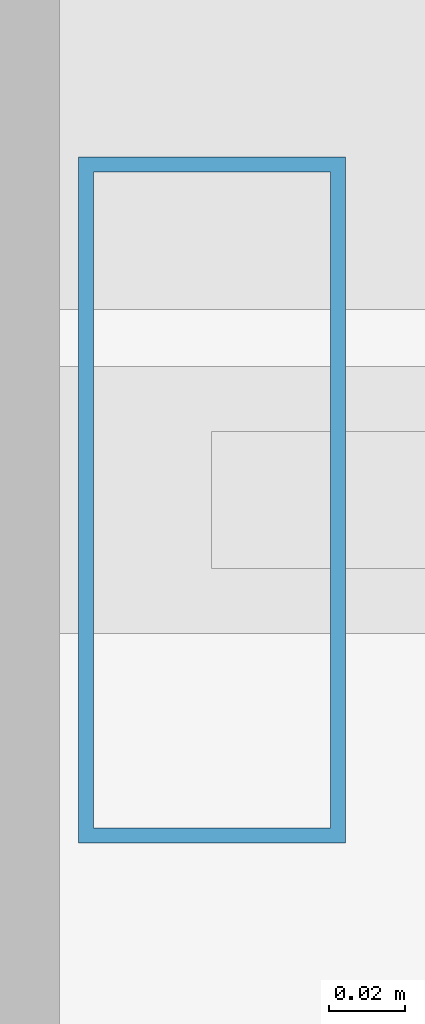
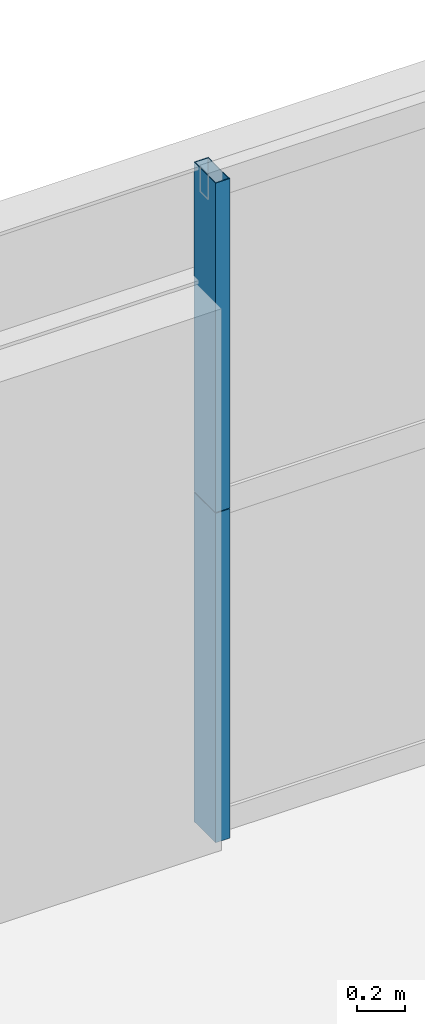
# One storey, part 26 of 43: 2 members, 1 element without a shape of its own.
"""IFC4 building model written with IfcOpenShell, lengths in metres."""

from ifc_helpers import new_model, si_unit, direction, frame, origin, origin_2d, place, context, subcontext, project, spatial, hollow_rectangle, extrude, source, transform, mapped, material, layer, layer_set, material_profile, profile_set, type_object, element, aggregate, save


model = new_model("IFC4")

# Units and contexts
model_context = context("Model", 3, precision=1e-05, world=origin(), true_north=direction((0.0, 1.0)))
body_context = subcontext(model_context, "Body", "Model", "MODEL_VIEW")
ifc_project = project(units=[si_unit("LENGTHUNIT", "METRE"), si_unit("AREAUNIT", "SQUARE_METRE"), si_unit("VOLUMEUNIT", "CUBIC_METRE"), si_unit("PLANEANGLEUNIT", "RADIAN"), si_unit("MASSUNIT", "GRAM", prefix="KILO"), si_unit("THERMODYNAMICTEMPERATUREUNIT", "KELVIN"), si_unit("POWERUNIT", "WATT")], contexts=[model_context])

# Site, building, storey
site_placement = place(None, origin())
site = spatial("IfcSite", under=ifc_project, at=site_placement, CompositionType="ELEMENT")
building_placement = place(site_placement, origin())
building = spatial("IfcBuilding", under=site, at=building_placement, Name="Yuzanri Waterfront Tower", CompositionType="ELEMENT")
storey_placement = place(building_placement, frame((0.0, 0.0, 67.60009765625)))
storey = spatial("IfcBuildingStorey", under=building, at=storey_placement, Name="L17", CompositionType="ELEMENT", Elevation=67.60009765625)

# Curtain wall, members
ifc_material_1 = material(Name="Anodized Architectural Bronze", Category="metal")
ifc_layer = layer(ifc_material_1, 0.159912109375)
ifc_layer_set = layer_set([ifc_layer], Name="Anodized Architectural Bronze")
curtain_wall_type = type_object("IfcCurtainWallType", Name="Anodized Bronze Hotel Lower-Tier Recessed Unitized Curtain Wall 8100", PredefinedType="NOTDEFINED", material=ifc_layer_set)
curtain_wall_placement = place(storey_placement, origin())
curtain_wall = element("IfcCurtainWall", 1, at=curtain_wall_placement, inside=storey, type_object=curtain_wall_type, Name="L17 Curtain Wall CW-L17-NL", PredefinedType="NOTDEFINED")
ifc_material_2 = material(Name="Anodized Architectural Bronze", Category="metal")
ifc_material_profile = material_profile(ifc_material_2, hollow_rectangle(XDim=0.070068359375, YDim=0.179931640625, WallThickness=0.00390625, at=origin_2d()), Name="CWM 70x180")
ifc_profile_set = profile_set([ifc_material_profile], Name="Anodized Architectural Bronze")
member_type = type_object("IfcMemberType", Name="Anodized Bronze Standard Curtain-Wall Mullion 70x180", PredefinedType="MULLION", material=ifc_profile_set)
shared_shape = source(origin(), body_context, "Body", "SweptSolid", [
    extrude(hollow_rectangle(XDim=0.070068359375, YDim=0.179931640625, WallThickness=0.00390625, at=origin_2d()), origin(), (0.0, 0.0, 1.0), 1.68798828125),
])
member_1_placement = place(storey_placement, frame((19.2900390625, 50.75, 0.0), z_axis=(0.0, 0.0, 1.0), x_axis=(1.0, 0.0, 0.0)))
member_1 = element("IfcMember", 2, at=member_1_placement, type_object=member_type, Name="CW-L17-NL Lower Mullion 00", PredefinedType="MULLION", context=body_context, shape_type="MappedRepresentation", body=[
    mapped(shared_shape, transform((0.0, 0.0, 0.0), scale=1.0)),
])
member_2_placement = place(storey_placement, frame((19.2900390625, 50.75, 1.69189453125), z_axis=(0.0, 0.0, 1.0), x_axis=(1.0, 0.0, 0.0)))
member_2 = element("IfcMember", 3, at=member_2_placement, type_object=member_type, Name="CW-L17-NL Upper Mullion 00", PredefinedType="MULLION", context=body_context, shape_type="MappedRepresentation", body=[
    mapped(shared_shape, transform((0.0, 0.0, 0.0), scale=1.0)),
])
aggregate(curtain_wall, [member_1, member_2])

save(model, "model.ifc")
